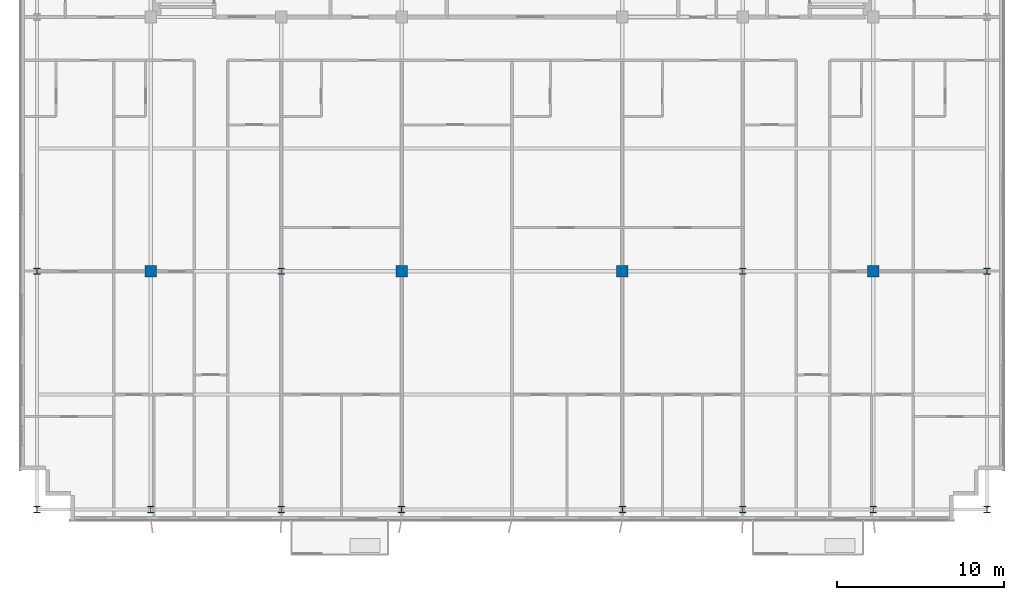
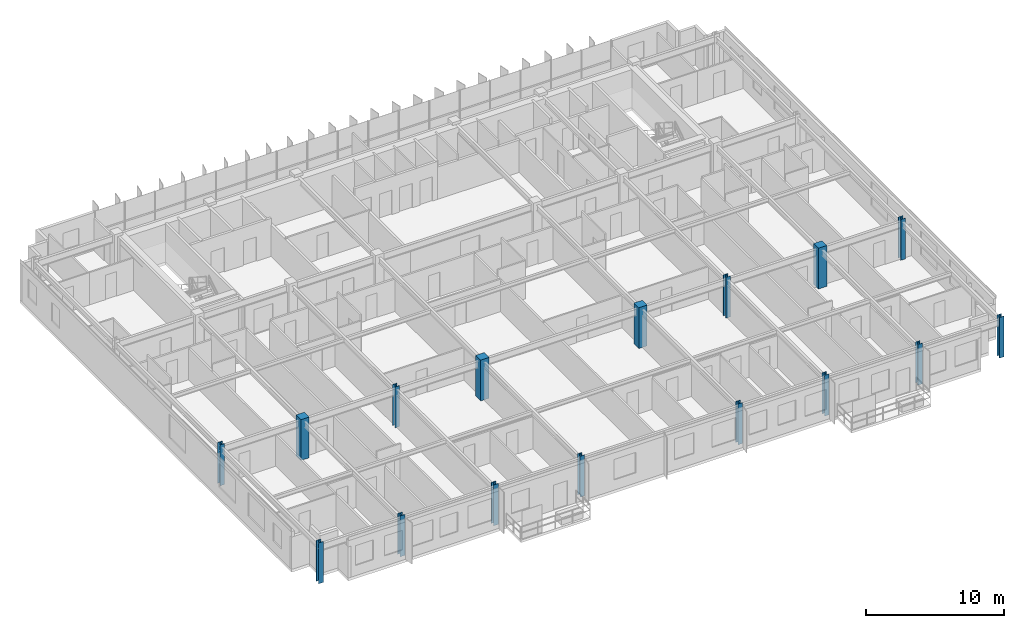
# One storey, part 1 of 21: 16 columns.
"""IFC4 building model written with IfcOpenShell, lengths in metres."""

from ifc_helpers import new_model, si_unit, direction, frame, origin, origin_2d, place, context, subcontext, project, spatial, rectangle, i_section, extrude, source, transform, mapped, material, material_profile, profile_set, type_object, element, save


model = new_model("IFC4")

# Units and contexts
model_context = context("Model", 3, precision=1e-05, world=origin(), true_north=direction((0.0, 1.0)))
body_context = subcontext(model_context, "Body", "Model", "MODEL_VIEW")
ifc_project = project(units=[si_unit("LENGTHUNIT", "METRE"), si_unit("AREAUNIT", "SQUARE_METRE"), si_unit("VOLUMEUNIT", "CUBIC_METRE"), si_unit("PLANEANGLEUNIT", "RADIAN"), si_unit("MASSUNIT", "GRAM", prefix="KILO")], contexts=[model_context])

# Site, building, storey
site_placement = place(None, origin())
site = spatial("IfcSite", under=ifc_project, at=site_placement, CompositionType="ELEMENT")
building_placement = place(site_placement, origin())
building = spatial("IfcBuilding", under=site, at=building_placement, Name="Trelvane Seafront Commons", CompositionType="ELEMENT")
storey_placement = place(building_placement, frame((0.0, 0.0, 135.699951171875)))
storey = spatial("IfcBuildingStorey", under=building, at=storey_placement, Name="L35", CompositionType="ELEMENT", Elevation=135.699951171875)

# Columns
ifc_material_1 = material(Name="Steel SM355 (S355)", Category="steel")
ifc_material_profile_1 = material_profile(ifc_material_1, i_section(OverallWidth=0.3798828125, OverallDepth=0.3798828125, WebThickness=0.02001953125, FlangeThickness=0.030029296875, at=origin_2d()), Name="HD-380x380x20x30")
ifc_profile_set_1 = profile_set([ifc_material_profile_1], Name="Steel SM355 (S355)")
column_type_1 = type_object("IfcColumnType", Name="STR-COL-HD380", PredefinedType="COLUMN", material=ifc_profile_set_1)
shared_shape_1 = source(origin(), body_context, "Body", "SweptSolid", [
    extrude(i_section(OverallWidth=0.3798828125, OverallDepth=0.3798828125, WebThickness=0.02001953125, FlangeThickness=0.030029296875, at=origin_2d()), origin(), (0.0, 0.0, 1.0), 3.60009765625),
])
for number, where, z_axis, x_axis, name in (
    (1, (8.800048828125, 3.949951171875, 0.0), (0.0, 0.0, 1.0), (1.0, 0.0, 0.0), "L35 Column TC-S8.8"),
    (2, (8.800048828125, 18.199951171875, 0.0), (0.0, 0.0, 1.0), (1.0, 0.0, 0.0), "L35 Column TC-M8.8"),
    (3, (15.60009765625, 3.949951171875, 0.0), (0.0, 0.0, 1.0), (1.0, 0.0, 0.0), "L35 Column TC-S15.6"),
    (4, (23.39990234375, 3.949951171875, 0.0), (0.0, 0.0, 1.0), (1.0, 0.0, 0.0), "L35 Column TC-S23.4"),
    (5, (23.39990234375, 18.199951171875, 0.0), (0.0, 0.0, 1.0), (1.0, 0.0, 0.0), "L35 Column TC-M23.4"),
    (6, (30.60009765625, 3.949951171875, 0.0), (0.0, 0.0, 1.0), (1.0, 0.0, 0.0), "L35 Column TC-S30.6"),
    (7, (43.800048828125, 3.949951171875, 0.0), (0.0, 0.0, 1.0), (1.0, 0.0, 0.0), "L35 Column TC-S43.8"),
    (8, (51.0, 3.949951171875, 0.0), (0.0, 0.0, 1.0), (1.0, 0.0, 0.0), "L35 Column TC-S51.0"),
    (9, (51.0, 18.199951171875, 0.0), (0.0, 0.0, 1.0), (1.0, 0.0, 0.0), "L35 Column TC-M51.0"),
    (10, (58.800048828125, 3.949951171875, 0.0), (0.0, 0.0, 1.0), (1.0, 0.0, 0.0), "L35 Column TC-S58.8"),
    (11, (65.60009765625, 3.949951171875, 0.0), (0.0, 0.0, 1.0), (1.0, 0.0, 0.0), "L35 Column TC-S65.6"),
    (12, (65.60009765625, 18.199951171875, 0.0), (0.0, 0.0, 1.0), (1.0, 0.0, 0.0), "L35 Column TC-M65.6"),
):
    element("IfcColumn", number, at=place(storey_placement, frame(where, z_axis=z_axis, x_axis=x_axis)), inside=storey, type_object=column_type_1, Name=name, PredefinedType="COLUMN", context=body_context, shape_type="MappedRepresentation", body=[
        mapped(shared_shape_1, transform((0.0, 0.0, 0.0), x_axis=(1.0, 0.0, 0.0), y_axis=(0.0, 1.0, 0.0), z_axis=(0.0, 0.0, 1.0), scale=1.0)),
    ])
ifc_material_2 = material(Name="Concrete C50/60", Category="concrete")
ifc_material_profile_2 = material_profile(ifc_material_2, rectangle(XDim=0.699951171875, YDim=0.699951171875, at=origin_2d()), Name="RC-700x700")
ifc_profile_set_2 = profile_set([ifc_material_profile_2], Name="Concrete C50/60")
column_type_2 = type_object("IfcColumnType", Name="STR-COL-RC700", PredefinedType="COLUMN", material=ifc_profile_set_2)
shared_shape_2 = source(origin(), body_context, "Body", "SweptSolid", [
    extrude(rectangle(XDim=0.699951171875, YDim=0.699951171875, at=origin_2d()), origin(), (0.0, 0.0, 1.0), 3.60009765625),
])
for number, where, z_axis, x_axis, name in (
    (13, (15.60009765625, 18.199951171875, 0.0), (0.0, 0.0, 1.0), (1.0, 0.0, 0.0), "L35 Column TC-M15.6"),
    (14, (30.60009765625, 18.199951171875, 0.0), (0.0, 0.0, 1.0), (1.0, 0.0, 0.0), "L35 Column TC-M30.6"),
    (15, (43.800048828125, 18.199951171875, 0.0), (0.0, 0.0, 1.0), (1.0, 0.0, 0.0), "L35 Column TC-M43.8"),
    (16, (58.800048828125, 18.199951171875, 0.0), (0.0, 0.0, 1.0), (1.0, 0.0, 0.0), "L35 Column TC-M58.8"),
):
    element("IfcColumn", number, at=place(storey_placement, frame(where, z_axis=z_axis, x_axis=x_axis)), inside=storey, type_object=column_type_2, Name=name, PredefinedType="COLUMN", context=body_context, shape_type="MappedRepresentation", body=[
        mapped(shared_shape_2, transform((0.0, 0.0, 0.0), x_axis=(1.0, 0.0, 0.0), y_axis=(0.0, 1.0, 0.0), z_axis=(0.0, 0.0, 1.0), scale=1.0)),
    ])

save(model, "model.ifc")
